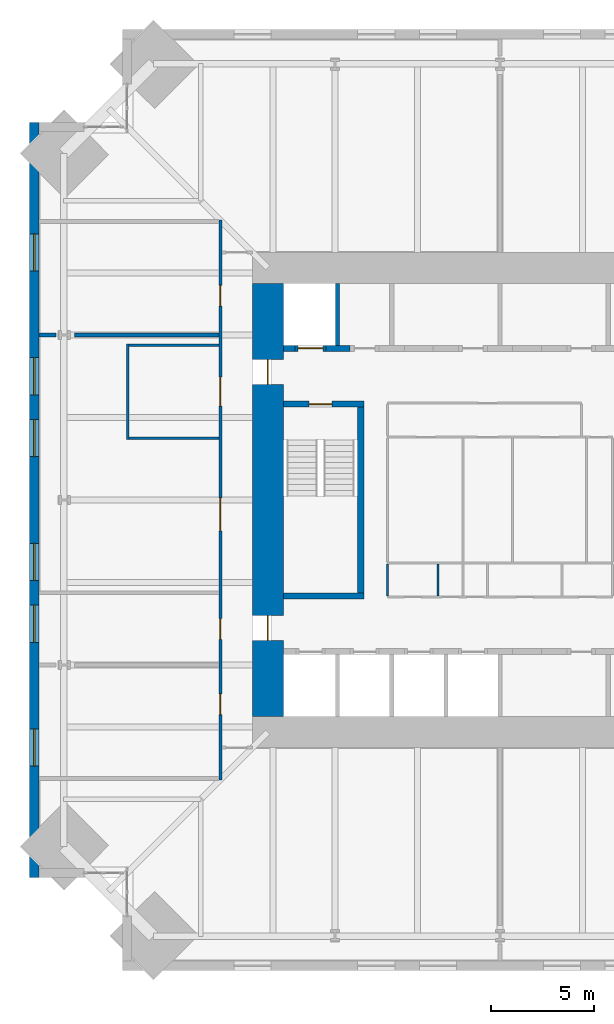
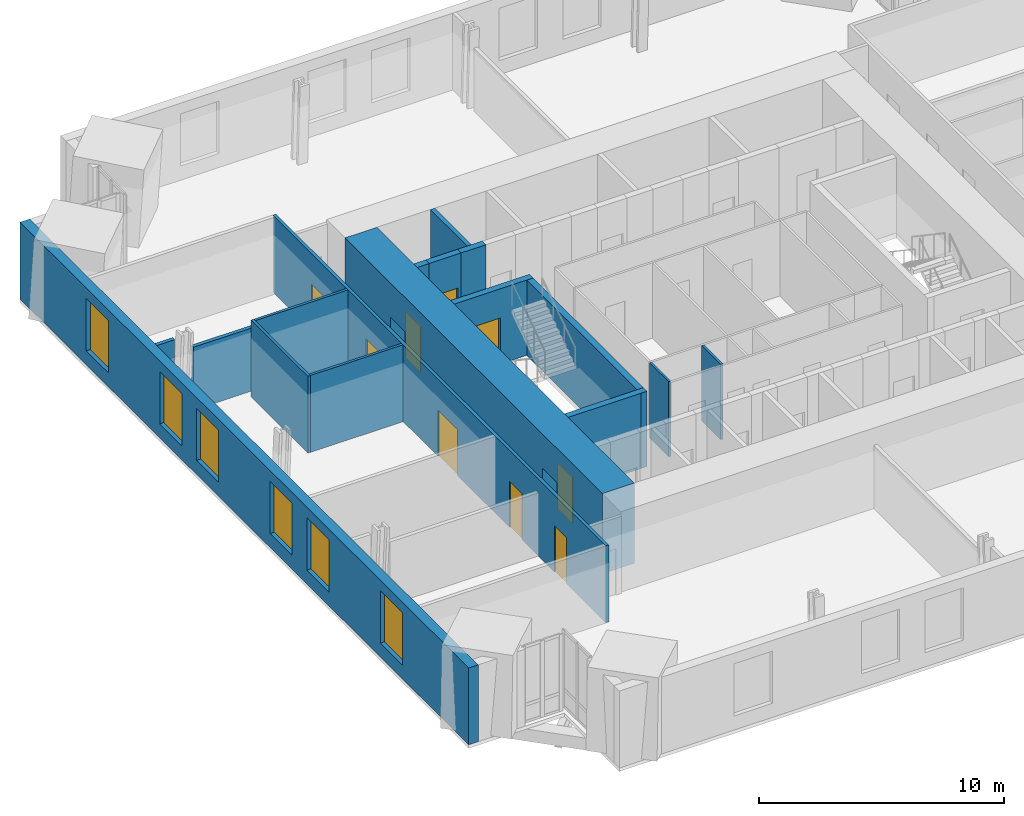
# One storey, part 11 of 15: 17 walls, 9 doors, 6 windows, 15 openings.
"""IFC4 building model written with IfcOpenShell, lengths in metres."""

from ifc_helpers import new_model, si_unit, direction, frame, frame_2d, origin, place, context, subcontext, project, spatial, rectangle, extrude, material, layer, layer_set, type_object, element, fill, save


model = new_model("IFC4")

# Units and contexts
model_context = context("Model", 3, precision=1e-05, world=origin(), true_north=direction((0.0, 1.0)))
body_context = subcontext(model_context, "Body", "Model", "MODEL_VIEW")
ifc_project = project(units=[si_unit("LENGTHUNIT", "METRE"), si_unit("AREAUNIT", "SQUARE_METRE"), si_unit("VOLUMEUNIT", "CUBIC_METRE"), si_unit("PLANEANGLEUNIT", "RADIAN"), si_unit("MASSUNIT", "GRAM", prefix="KILO")], contexts=[model_context])

# Site, building, storey
site_placement = place(None, origin())
site = spatial("IfcSite", under=ifc_project, at=site_placement, CompositionType="ELEMENT")
building_placement = place(site_placement, origin())
building = spatial("IfcBuilding", under=site, at=building_placement, Name="Peilmerk Tower", CompositionType="ELEMENT")
storey_placement = place(building_placement, frame((0.0, 0.0, 241.800048828125)))
storey = spatial("IfcBuildingStorey", under=building, at=storey_placement, Name="L53", CompositionType="ELEMENT", Elevation=241.800048828125)

# Wall, openings, windows
ifc_material_1 = material(Name="Precast concrete C45/55, board-marked finish", Category="concrete")
ifc_layer_1 = layer(ifc_material_1, 0.449951171875)
ifc_layer_set_1 = layer_set([ifc_layer_1], Name="Precast concrete C45/55, board-marked finish")
wall_type_1 = type_object("IfcWallType", Name="EW1 450 precast concrete facade wall, board-marked", PredefinedType="SOLIDWALL", material=ifc_layer_set_1)
wall_1_placement = place(storey_placement, frame((-22.574951171875, 18.300048828125, 0.0), z_axis=(0.0, 0.0, 1.0), x_axis=(0.0, -1.0, 0.0)))
wall_1 = element("IfcWall", 1, at=wall_1_placement, inside=storey, type_object=wall_type_1, Name="Facade wall W L53", PredefinedType="SOLIDWALL", context=body_context, shape_type="SweptSolid", body=[
    extrude(rectangle(XDim=36.60009765625, YDim=0.449951171875, at=frame_2d((18.300048828125, 0.0))), origin(), (0.0, 0.0, 1.0), 3.829833984375),
])
opening_1_placement = place(wall_1_placement, frame((5.39990234375, 0.0, 0.699951171875)))
opening_1 = element("IfcOpeningElement", 2, at=opening_1_placement, cuts=wall_1, Name="Opening W1", PredefinedType="OPENING", context=body_context, shape_type="SweptSolid", body=[
    extrude(rectangle(XDim=1.800048828125, YDim=2.60009765625, at=frame_2d((0.89990234375, 1.300048828125))), frame((0.0, 0.23486328125, 0.0), z_axis=(0.0, -1.0, 0.0), x_axis=(1.0, 0.0, 0.0)), (0.0, 0.0, 1.0), 0.469970703125),
])
opening_2_placement = place(wall_1_placement, frame((11.39990234375, 0.0, 0.699951171875)))
opening_2 = element("IfcOpeningElement", 3, at=opening_2_placement, cuts=wall_1, Name="Opening W1", PredefinedType="OPENING", context=body_context, shape_type="SweptSolid", body=[
    extrude(rectangle(XDim=1.800048828125, YDim=2.60009765625, at=frame_2d((0.89990234375, 1.300048828125))), frame((0.0, 0.23486328125, 0.0), z_axis=(0.0, -1.0, 0.0), x_axis=(1.0, 0.0, 0.0)), (0.0, 0.0, 1.0), 0.469970703125),
])
opening_3_placement = place(wall_1_placement, frame((14.39990234375, 0.0, 0.699951171875)))
opening_3 = element("IfcOpeningElement", 4, at=opening_3_placement, cuts=wall_1, Name="Opening W1", PredefinedType="OPENING", context=body_context, shape_type="SweptSolid", body=[
    extrude(rectangle(XDim=1.800048828125, YDim=2.60009765625, at=frame_2d((0.89990234375, 1.300048828125))), frame((0.0, 0.23486328125, 0.0), z_axis=(0.0, -1.0, 0.0), x_axis=(1.0, 0.0, 0.0)), (0.0, 0.0, 1.0), 0.469970703125),
])
opening_4_placement = place(wall_1_placement, frame((20.39990234375, 0.0, 0.699951171875)))
opening_4 = element("IfcOpeningElement", 5, at=opening_4_placement, cuts=wall_1, Name="Opening W1", PredefinedType="OPENING", context=body_context, shape_type="SweptSolid", body=[
    extrude(rectangle(XDim=1.800048828125, YDim=2.60009765625, at=frame_2d((0.89990234375, 1.300048828125))), frame((0.0, 0.23486328125, 0.0), z_axis=(0.0, -1.0, 0.0), x_axis=(1.0, 0.0, 0.0)), (0.0, 0.0, 1.0), 0.469970703125),
])
opening_5_placement = place(wall_1_placement, frame((23.39990234375, 0.0, 0.699951171875)))
opening_5 = element("IfcOpeningElement", 6, at=opening_5_placement, cuts=wall_1, Name="Opening W1", PredefinedType="OPENING", context=body_context, shape_type="SweptSolid", body=[
    extrude(rectangle(XDim=1.800048828125, YDim=2.60009765625, at=frame_2d((0.89990234375, 1.300048828125))), frame((0.0, 0.23486328125, 0.0), z_axis=(0.0, -1.0, 0.0), x_axis=(1.0, 0.0, 0.0)), (0.0, 0.0, 1.0), 0.469970703125),
])
opening_6_placement = place(wall_1_placement, frame((29.39990234375, 0.0, 0.699951171875)))
opening_6 = element("IfcOpeningElement", 7, at=opening_6_placement, cuts=wall_1, Name="Opening W1", PredefinedType="OPENING", context=body_context, shape_type="SweptSolid", body=[
    extrude(rectangle(XDim=1.800048828125, YDim=2.60009765625, at=frame_2d((0.89990234375, 1.300048828125))), frame((0.0, 0.23486328125, 0.0), z_axis=(0.0, -1.0, 0.0), x_axis=(1.0, 0.0, 0.0)), (0.0, 0.0, 1.0), 0.469970703125),
])
ifc_material_2 = material(Name="Aluminium frame, clear double glazing", Category="aluminium")
window_type = type_object("IfcWindowType", Name="W1 1800x2600 office window", PartitioningType="SINGLE_PANEL", PredefinedType="WINDOW", material=ifc_material_2)
window_1_placement = place(opening_1_placement, origin())
window_1 = element("IfcWindow", 8, at=window_1_placement, inside=storey, type_object=window_type, Name="Window W1 L53", OverallHeight=2.60009765625, OverallWidth=1.800048828125, PartitioningType="SINGLE_PANEL", PredefinedType="WINDOW", context=body_context, shape_type="SweptSolid", body=[
    extrude(rectangle(XDim=1.800048828125, YDim=2.60009765625, at=frame_2d((0.89990234375, 1.300048828125))), frame((0.0, 0.030029296875, 0.0), z_axis=(0.0, -1.0, 0.0), x_axis=(1.0, 0.0, 0.0)), (0.0, 0.0, 1.0), 0.06005859375),
])
fill(opening_1, window_1)
window_2_placement = place(opening_2_placement, origin())
window_2 = element("IfcWindow", 9, at=window_2_placement, inside=storey, type_object=window_type, Name="Window W1 L53", OverallHeight=2.60009765625, OverallWidth=1.800048828125, PartitioningType="SINGLE_PANEL", PredefinedType="WINDOW", context=body_context, shape_type="SweptSolid", body=[
    extrude(rectangle(XDim=1.800048828125, YDim=2.60009765625, at=frame_2d((0.89990234375, 1.300048828125))), frame((0.0, 0.030029296875, 0.0), z_axis=(0.0, -1.0, 0.0), x_axis=(1.0, 0.0, 0.0)), (0.0, 0.0, 1.0), 0.06005859375),
])
fill(opening_2, window_2)
window_3_placement = place(opening_3_placement, origin())
window_3 = element("IfcWindow", 10, at=window_3_placement, inside=storey, type_object=window_type, Name="Window W1 L53", OverallHeight=2.60009765625, OverallWidth=1.800048828125, PartitioningType="SINGLE_PANEL", PredefinedType="WINDOW", context=body_context, shape_type="SweptSolid", body=[
    extrude(rectangle(XDim=1.800048828125, YDim=2.60009765625, at=frame_2d((0.89990234375, 1.300048828125))), frame((0.0, 0.030029296875, 0.0), z_axis=(0.0, -1.0, 0.0), x_axis=(1.0, 0.0, 0.0)), (0.0, 0.0, 1.0), 0.06005859375),
])
fill(opening_3, window_3)
window_4_placement = place(opening_4_placement, origin())
window_4 = element("IfcWindow", 11, at=window_4_placement, inside=storey, type_object=window_type, Name="Window W1 L53", OverallHeight=2.60009765625, OverallWidth=1.800048828125, PartitioningType="SINGLE_PANEL", PredefinedType="WINDOW", context=body_context, shape_type="SweptSolid", body=[
    extrude(rectangle(XDim=1.800048828125, YDim=2.60009765625, at=frame_2d((0.89990234375, 1.300048828125))), frame((0.0, 0.030029296875, 0.0), z_axis=(0.0, -1.0, 0.0), x_axis=(1.0, 0.0, 0.0)), (0.0, 0.0, 1.0), 0.06005859375),
])
fill(opening_4, window_4)
window_5_placement = place(opening_5_placement, origin())
window_5 = element("IfcWindow", 12, at=window_5_placement, inside=storey, type_object=window_type, Name="Window W1 L53", OverallHeight=2.60009765625, OverallWidth=1.800048828125, PartitioningType="SINGLE_PANEL", PredefinedType="WINDOW", context=body_context, shape_type="SweptSolid", body=[
    extrude(rectangle(XDim=1.800048828125, YDim=2.60009765625, at=frame_2d((0.89990234375, 1.300048828125))), frame((0.0, 0.030029296875, 0.0), z_axis=(0.0, -1.0, 0.0), x_axis=(1.0, 0.0, 0.0)), (0.0, 0.0, 1.0), 0.06005859375),
])
fill(opening_5, window_5)
window_6_placement = place(opening_6_placement, origin())
window_6 = element("IfcWindow", 13, at=window_6_placement, inside=storey, type_object=window_type, Name="Window W1 L53", OverallHeight=2.60009765625, OverallWidth=1.800048828125, PartitioningType="SINGLE_PANEL", PredefinedType="WINDOW", context=body_context, shape_type="SweptSolid", body=[
    extrude(rectangle(XDim=1.800048828125, YDim=2.60009765625, at=frame_2d((0.89990234375, 1.300048828125))), frame((0.0, 0.030029296875, 0.0), z_axis=(0.0, -1.0, 0.0), x_axis=(1.0, 0.0, 0.0)), (0.0, 0.0, 1.0), 0.06005859375),
])
fill(opening_6, window_6)

# Wall, openings, doors
ifc_material_3 = material(Name="Calcium silicate block", Category="masonry")
ifc_layer_2 = layer(ifc_material_3, 0.14990234375)
ifc_layer_set_2 = layer_set([ifc_layer_2], Name="Calcium silicate block")
wall_type_2 = type_object("IfcWallType", Name="IW1 150 corridor partition, EI 60", PredefinedType="PARTITIONING", material=ifc_layer_set_2)
wall_2_placement = place(storey_placement, frame((-13.550048828125, 13.574951171875, 0.0), z_axis=(0.0, 0.0, 1.0), x_axis=(0.0, -1.0, 0.0)))
wall_2 = element("IfcWall", 14, at=wall_2_placement, inside=storey, type_object=wall_type_2, Name="Corridor wall W L53", PredefinedType="PARTITIONING", context=body_context, shape_type="SweptSolid", body=[
    extrude(rectangle(XDim=27.14990234375, YDim=0.14990234375, at=frame_2d((13.574951171875, 0.0))), origin(), (0.0, 0.0, 1.0), 3.829833984375),
])
opening_7_placement = place(wall_2_placement, frame((22.97509765625, 0.0, 0.0)))
opening_7 = element("IfcOpeningElement", 15, at=opening_7_placement, cuts=wall_2, Name="Opening D1", PredefinedType="OPENING", context=body_context, shape_type="SweptSolid", body=[
    extrude(rectangle(XDim=1.0, YDim=2.300048828125, at=frame_2d((0.5, 1.14990234375))), frame((0.0, 0.0849609375, 0.0), z_axis=(0.0, -1.0, 0.0), x_axis=(1.0, 0.0, 0.0)), (0.0, 0.0, 1.0), 0.169921875),
])
opening_8_placement = place(wall_2_placement, frame((19.324951171875, 0.0, 0.0)))
opening_8 = element("IfcOpeningElement", 16, at=opening_8_placement, cuts=wall_2, Name="Opening D1", PredefinedType="OPENING", context=body_context, shape_type="SweptSolid", body=[
    extrude(rectangle(XDim=1.0, YDim=2.300048828125, at=frame_2d((0.5, 1.14990234375))), frame((0.0, 0.0849609375, 0.0), z_axis=(0.0, -1.0, 0.0), x_axis=(1.0, 0.0, 0.0)), (0.0, 0.0, 1.0), 0.169921875),
])
opening_9_placement = place(wall_2_placement, frame((13.47509765625, 0.0, 0.0)))
opening_9 = element("IfcOpeningElement", 17, at=opening_9_placement, cuts=wall_2, Name="Opening D9", PredefinedType="OPENING", context=body_context, shape_type="SweptSolid", body=[
    extrude(rectangle(XDim=1.60009765625, YDim=2.300048828125, at=frame_2d((0.800048828125, 1.14990234375))), frame((0.0, 0.0849609375, 0.0), z_axis=(0.0, -1.0, 0.0), x_axis=(1.0, 0.0, 0.0)), (0.0, 0.0, 1.0), 0.169921875),
])
opening_10_placement = place(wall_2_placement, frame((3.175048828125, 0.0, 0.0)))
opening_10 = element("IfcOpeningElement", 18, at=opening_10_placement, cuts=wall_2, Name="Opening D1", PredefinedType="OPENING", context=body_context, shape_type="SweptSolid", body=[
    extrude(rectangle(XDim=1.0, YDim=2.300048828125, at=frame_2d((0.5, 1.14990234375))), frame((0.0, 0.0849609375, 0.0), z_axis=(0.0, -1.0, 0.0), x_axis=(1.0, 0.0, 0.0)), (0.0, 0.0, 1.0), 0.169921875),
])
opening_11_placement = place(wall_2_placement, frame((7.625, 0.0, 0.0)))
opening_11 = element("IfcOpeningElement", 19, at=opening_11_placement, cuts=wall_2, Name="Opening D8", PredefinedType="OPENING", context=body_context, shape_type="SweptSolid", body=[
    extrude(rectangle(XDim=1.39990234375, YDim=2.300048828125, at=frame_2d((0.699951171875, 1.14990234375))), frame((0.0, 0.0849609375, 0.0), z_axis=(0.0, -1.0, 0.0), x_axis=(1.0, 0.0, 0.0)), (0.0, 0.0, 1.0), 0.169921875),
])
ifc_material_4 = material(Name="Timber door in steel frame", Category="steel")
door_type_1 = type_object("IfcDoorType", Name="D1 1000x2300 room door, EI2 30", OperationType="SINGLE_SWING_LEFT", PredefinedType="DOOR", material=ifc_material_4)
door_1_placement = place(opening_7_placement, frame((1.0, 0.0, 0.0), z_axis=(0.0, 0.0, 1.0), x_axis=(-1.0, 0.0, 0.0)))
door_1 = element("IfcDoor", 20, at=door_1_placement, inside=storey, type_object=door_type_1, Name="Door Catering kitchen L53", OperationType="SINGLE_SWING_LEFT", OverallHeight=2.300048828125, OverallWidth=1.0, PredefinedType="DOOR", context=body_context, shape_type="SweptSolid", body=[
    extrude(rectangle(XDim=1.0, YDim=2.300048828125, at=frame_2d((0.5, 1.14990234375))), frame((0.0, 0.02490234375, 0.0), z_axis=(0.0, -1.0, 0.0), x_axis=(1.0, 0.0, 0.0)), (0.0, 0.0, 1.0), 0.050048828125),
])
fill(opening_7, door_1)
door_2_placement = place(opening_8_placement, frame((1.0, 0.0, 0.0), z_axis=(0.0, 0.0, 1.0), x_axis=(-1.0, 0.0, 0.0)))
door_2 = element("IfcDoor", 21, at=door_2_placement, inside=storey, type_object=door_type_1, Name="Door Catering servery L53", OperationType="SINGLE_SWING_LEFT", OverallHeight=2.300048828125, OverallWidth=1.0, PredefinedType="DOOR", context=body_context, shape_type="SweptSolid", body=[
    extrude(rectangle(XDim=1.0, YDim=2.300048828125, at=frame_2d((0.5, 1.14990234375))), frame((0.0, 0.02490234375, 0.0), z_axis=(0.0, -1.0, 0.0), x_axis=(1.0, 0.0, 0.0)), (0.0, 0.0, 1.0), 0.050048828125),
])
fill(opening_8, door_2)
door_3_placement = place(opening_10_placement, frame((1.0, 0.0, 0.0), z_axis=(0.0, 0.0, 1.0), x_axis=(-1.0, 0.0, 0.0)))
door_3 = element("IfcDoor", 22, at=door_3_placement, inside=storey, type_object=door_type_1, Name="Door Office L53", OperationType="SINGLE_SWING_LEFT", OverallHeight=2.300048828125, OverallWidth=1.0, PredefinedType="DOOR", context=body_context, shape_type="SweptSolid", body=[
    extrude(rectangle(XDim=1.0, YDim=2.300048828125, at=frame_2d((0.5, 1.14990234375))), frame((0.0, 0.02490234375, 0.0), z_axis=(0.0, -1.0, 0.0), x_axis=(1.0, 0.0, 0.0)), (0.0, 0.0, 1.0), 0.050048828125),
])
fill(opening_10, door_3)
door_type_2 = type_object("IfcDoorType", Name="D8 1400x2300 leaf-and-a-half door, EI2 30", OperationType="DOUBLE_DOOR_SINGLE_SWING", PredefinedType="DOOR", material=ifc_material_4)
door_4_placement = place(opening_11_placement, frame((1.39990234375, 0.0, 0.0), z_axis=(0.0, 0.0, 1.0), x_axis=(-1.0, 0.0, 0.0)))
door_4 = element("IfcDoor", 23, at=door_4_placement, inside=storey, type_object=door_type_2, Name="Door Briefing room L53", OperationType="DOUBLE_DOOR_SINGLE_SWING", OverallHeight=2.300048828125, OverallWidth=1.39990234375, PredefinedType="DOOR", context=body_context, shape_type="SweptSolid", body=[
    extrude(rectangle(XDim=1.39990234375, YDim=2.300048828125, at=frame_2d((0.699951171875, 1.14990234375))), frame((0.0, 0.02490234375, 0.0), z_axis=(0.0, -1.0, 0.0), x_axis=(1.0, 0.0, 0.0)), (0.0, 0.0, 1.0), 0.050048828125),
])
fill(opening_11, door_4)
ifc_material_5 = material(Name="Glazed timber door in steel frame", Category="steel")
door_type_3 = type_object("IfcDoorType", Name="D9 1600x2300 glazed double door, EI2 30", OperationType="DOUBLE_DOOR_SINGLE_SWING", PredefinedType="DOOR", material=ifc_material_5)
door_5_placement = place(opening_9_placement, frame((1.60009765625, 0.0, 0.0), z_axis=(0.0, 0.0, 1.0), x_axis=(-1.0, 0.0, 0.0)))
door_5 = element("IfcDoor", 24, at=door_5_placement, inside=storey, type_object=door_type_3, Name="Door Reception L53", OperationType="DOUBLE_DOOR_SINGLE_SWING", OverallHeight=2.300048828125, OverallWidth=1.60009765625, PredefinedType="DOOR", context=body_context, shape_type="SweptSolid", body=[
    extrude(rectangle(XDim=1.60009765625, YDim=2.300048828125, at=frame_2d((0.800048828125, 1.14990234375))), frame((0.0, 0.02490234375, 0.0), z_axis=(0.0, -1.0, 0.0), x_axis=(1.0, 0.0, 0.0)), (0.0, 0.0, 1.0), 0.050048828125),
])
fill(opening_9, door_5)

# Wall
ifc_material_6 = material(Name="Concrete C35/45", Category="concrete")
ifc_layer_3 = layer(ifc_material_6, 0.300048828125)
ifc_layer_set_3 = layer_set([ifc_layer_3], Name="Concrete C35/45")
wall_type_3 = type_object("IfcWallType", Name="IW3 300 concrete stair enclosure wall, EI 120", PredefinedType="SOLIDWALL", material=ifc_layer_set_3)
wall_3_placement = place(storey_placement, frame((-6.75, -4.800048828125, 0.0), z_axis=(0.0, 0.0, 1.0), x_axis=(0.0, 1.0, 0.0)))
element("IfcWall", 25, at=wall_3_placement, inside=storey, type_object=wall_type_3, Name="Stair 1 enclosure L53", PredefinedType="SOLIDWALL", context=body_context, shape_type="SweptSolid", body=[
    extrude(rectangle(XDim=9.60009765625, YDim=0.300048828125, at=frame_2d((4.800048828125, 0.0))), origin(), (0.0, 0.0, 1.0), 3.75),
])

# Wall, opening, door
wall_4_placement = place(storey_placement, frame((-10.5, 4.64990234375, 0.0), z_axis=(0.0, 0.0, 1.0), x_axis=(1.0, 0.0, 0.0)))
wall_4 = element("IfcWall", 26, at=wall_4_placement, inside=storey, type_object=wall_type_3, Name="Stair 1 enclosure L53", PredefinedType="SOLIDWALL", context=body_context, shape_type="SweptSolid", body=[
    extrude(rectangle(XDim=3.89990234375, YDim=0.300048828125, at=frame_2d((1.949951171875, 0.0))), origin(), (0.0, 0.0, 1.0), 3.75),
])
opening_12_placement = place(wall_4_placement, frame((1.25, 0.0, 0.0)))
opening_12 = element("IfcOpeningElement", 27, at=opening_12_placement, cuts=wall_4, Name="Opening D4", PredefinedType="OPENING", context=body_context, shape_type="SweptSolid", body=[
    extrude(rectangle(XDim=1.10009765625, YDim=2.300048828125, at=frame_2d((0.550048828125, 1.14990234375))), frame((0.0, 0.159912109375, 0.0), z_axis=(0.0, -1.0, 0.0), x_axis=(1.0, 0.0, 0.0)), (0.0, 0.0, 1.0), 0.320068359375),
])
ifc_material_7 = material(Name="Steel door in steel frame", Category="steel")
door_type_4 = type_object("IfcDoorType", Name="D4 1100x2300 stair door, EI2 60", OperationType="SINGLE_SWING_RIGHT", PredefinedType="DOOR", material=ifc_material_7)
door_6_placement = place(opening_12_placement, frame((1.10009765625, 0.0, 0.0), z_axis=(0.0, 0.0, 1.0), x_axis=(-1.0, 0.0, 0.0)))
door_6 = element("IfcDoor", 28, at=door_6_placement, inside=storey, type_object=door_type_4, Name="Stair 1 door L53", OperationType="SINGLE_SWING_RIGHT", OverallHeight=2.300048828125, OverallWidth=1.10009765625, PredefinedType="DOOR", context=body_context, shape_type="SweptSolid", body=[
    extrude(rectangle(XDim=1.10009765625, YDim=2.300048828125, at=frame_2d((0.550048828125, 1.14990234375))), frame((0.0, 0.02490234375, 0.0), z_axis=(0.0, -1.0, 0.0), x_axis=(1.0, 0.0, 0.0)), (0.0, 0.0, 1.0), 0.050048828125),
])
fill(opening_12, door_6)

# Walls
wall_5_placement = place(storey_placement, frame((-6.60009765625, -4.64990234375, 0.0), z_axis=(0.0, 0.0, 1.0), x_axis=(-1.0, 0.0, 0.0)))
element("IfcWall", 29, at=wall_5_placement, inside=storey, type_object=wall_type_3, Name="Stair 1 enclosure L53", PredefinedType="SOLIDWALL", context=body_context, shape_type="SweptSolid", body=[
    extrude(rectangle(XDim=3.89990234375, YDim=0.300048828125, at=frame_2d((1.949951171875, 0.0))), origin(), (0.0, 0.0, 1.0), 3.75),
])
ifc_material_8 = material(Name="Calcium silicate board on steel studs", Category="steel")
ifc_layer_4 = layer(ifc_material_8, 0.10009765625)
ifc_layer_set_4 = layer_set([ifc_layer_4], Name="Calcium silicate board on steel studs")
wall_type_4 = type_object("IfcWallType", Name="IW5 100 riser enclosure wall, EI 60", PredefinedType="PARTITIONING", material=ifc_layer_set_4)
for number, where, z_axis, x_axis, name in (
    (30, (-5.449951171875, -3.10009765625, 0.0), (0.0, 0.0, 1.0), (0.0, -1.0, 0.0), "Riser wall L53"),
    (31, (-3.0, -3.10009765625, 0.0), (0.0, 0.0, 1.0), (0.0, -1.0, 0.0), "Riser wall L53"),
):
    element("IfcWall", number, at=place(storey_placement, frame(where, z_axis=z_axis, x_axis=x_axis)), inside=storey, type_object=wall_type_4, Name=name, PredefinedType="PARTITIONING", context=body_context, shape_type="SweptSolid", body=[
        extrude(rectangle(XDim=1.5498046875, YDim=0.10009765625, at=frame_2d((0.77490234375, 0.0))), origin(), (0.0, 0.0, 1.0), 3.75),
    ])
ifc_material_9 = material(Name="Plasterboard on steel studs, double boarded with mineral wool", Category="steel")
ifc_layer_5 = layer(ifc_material_9, 0.125)
ifc_layer_set_5 = layer_set([ifc_layer_5], Name="Plasterboard on steel studs, double boarded with mineral wool")
wall_type_5 = type_object("IfcWallType", Name="IW7 125 acoustic partition, EI 30", PredefinedType="PARTITIONING", material=ifc_layer_set_5)
wall_6_placement = place(storey_placement, frame((-18.050048828125, 2.9375, 0.0), z_axis=(0.0, 0.0, 1.0), x_axis=(0.0, 1.0, 0.0)))
element("IfcWall", 32, at=wall_6_placement, inside=storey, type_object=wall_type_5, Name="Acoustic partition Briefing room L53", PredefinedType="PARTITIONING", context=body_context, shape_type="SweptSolid", body=[
    extrude(rectangle(XDim=4.625, YDim=0.125, at=frame_2d((2.3125, 0.0))), origin(), (0.0, 0.0, 1.0), 3.829833984375),
])
for number, where, z_axis, x_axis, name in (
    (33, (-13.625, 3.0, 0.0), (0.0, 0.0, 1.0), (-1.0, 0.0, 0.0), "Acoustic partition Briefing room L53"),
    (34, (-13.625, 7.5, 0.0), (0.0, 0.0, 1.0), (-1.0, 0.0, 0.0), "Acoustic partition Briefing room L53"),
):
    element("IfcWall", number, at=place(storey_placement, frame(where, z_axis=z_axis, x_axis=x_axis)), inside=storey, type_object=wall_type_5, Name=name, PredefinedType="PARTITIONING", context=body_context, shape_type="SweptSolid", body=[
        extrude(rectangle(XDim=4.362548828125, YDim=0.125, at=frame_2d((2.18115234375, 0.0))), origin(), (0.0, 0.0, 1.0), 3.829833984375),
    ])
ifc_layer_6 = layer(ifc_material_3, 0.175048828125)
ifc_layer_set_6 = layer_set([ifc_layer_6], Name="Calcium silicate block")
wall_type_6 = type_object("IfcWallType", Name="IW8 175 tenant separating wall, EI 60", PredefinedType="PARTITIONING", material=ifc_layer_set_6)
wall_7_placement = place(storey_placement, frame((-13.625, 8.0, 0.0), z_axis=(0.0, 0.0, 1.0), x_axis=(-1.0, 0.0, 0.0)))
element("IfcWall", 35, at=wall_7_placement, inside=storey, type_object=wall_type_6, Name="Tenant separating wall W3 L53", PredefinedType="PARTITIONING", context=body_context, shape_type="SweptSolid", body=[
    extrude(rectangle(XDim=6.99658203125, YDim=0.175048828125, at=frame_2d((3.498291015625, 0.0))), origin(), (0.0, 0.0, 1.0), 3.139892578125),
])
wall_8_placement = place(storey_placement, frame((-21.5107421875, 8.0, 0.0), z_axis=(0.0, 0.0, 1.0), x_axis=(-1.0, 0.0, 0.0)))
element("IfcWall", 36, at=wall_8_placement, inside=storey, type_object=wall_type_6, Name="Tenant separating wall W3b L53", PredefinedType="PARTITIONING", context=body_context, shape_type="SweptSolid", body=[
    extrude(rectangle(XDim=0.83935546875, YDim=0.175048828125, at=frame_2d((0.419677734375, 0.0))), origin(), (0.0, 0.0, 1.0), 3.829833984375),
])
ifc_layer_7 = layer(ifc_material_3, 0.199951171875)
ifc_layer_set_7 = layer_set([ifc_layer_7], Name="Calcium silicate block")
wall_type_7 = type_object("IfcWallType", Name="SH1 200 shaft dividing wall, EI 120", PredefinedType="PARTITIONING", material=ifc_layer_set_7)
wall_9_placement = place(storey_placement, frame((-7.875, 7.5, 0.0), z_axis=(0.0, 0.0, 1.0), x_axis=(0.0, 1.0, 0.0)))
element("IfcWall", 37, at=wall_9_placement, inside=storey, type_object=wall_type_7, Name="Shaft wall N FL1 L53", PredefinedType="PARTITIONING", context=body_context, shape_type="SweptSolid", body=[
    extrude(rectangle(XDim=3.0, YDim=0.199951171875, at=frame_2d((1.5, 0.0))), origin(), (0.0, 0.0, 1.0), 4.0),
])

# Wall, opening, door
ifc_layer_8 = layer(ifc_material_3, 0.300048828125)
ifc_layer_set_8 = layer_set([ifc_layer_8], Name="Calcium silicate block")
wall_type_8 = type_object("IfcWallType", Name="SH2 300 lift landing door panel, EI 120", PredefinedType="PARTITIONING", material=ifc_layer_set_8)
wall_10_placement = place(storey_placement, frame((-9.9375, 7.35009765625, 0.0), z_axis=(0.0, 0.0, 1.0), x_axis=(1.0, 0.0, 0.0)))
wall_10 = element("IfcWall", 38, at=wall_10_placement, inside=storey, type_object=wall_type_8, Name="Lift door panel N FL1 L53", PredefinedType="PARTITIONING", context=body_context, shape_type="SweptSolid", body=[
    extrude(rectangle(XDim=1.5, YDim=0.300048828125, at=frame_2d((0.75, 0.0))), origin(), (0.0, 0.0, 1.0), 4.0),
])
opening_13_placement = place(wall_10_placement, frame((0.14990234375, 0.0, 0.0)))
opening_13 = element("IfcOpeningElement", 39, at=opening_13_placement, cuts=wall_10, Name="Opening LD2", PredefinedType="OPENING", context=body_context, shape_type="SweptSolid", body=[
    extrude(rectangle(XDim=1.199951171875, YDim=2.300048828125, at=frame_2d((0.60009765625, 1.14990234375))), frame((0.0, 0.159912109375, 0.0), z_axis=(0.0, -1.0, 0.0), x_axis=(1.0, 0.0, 0.0)), (0.0, 0.0, 1.0), 0.320068359375),
])
ifc_material_10 = material(Name="Stainless steel landing door", Category="steel")
door_type_5 = type_object("IfcDoorType", Name="LD2 1200x2300 lift landing door, sliding, EI2 60", OperationType="SLIDING_TO_LEFT", PredefinedType="DOOR", material=ifc_material_10)
door_7_placement = place(opening_13_placement, frame((1.199951171875, 0.0, 0.0), z_axis=(0.0, 0.0, 1.0), x_axis=(-1.0, 0.0, 0.0)))
door_7 = element("IfcDoor", 40, at=door_7_placement, inside=storey, type_object=door_type_5, Name="Lift landing door FL1 L53", OperationType="SLIDING_TO_LEFT", OverallHeight=2.300048828125, OverallWidth=1.199951171875, PredefinedType="DOOR", context=body_context, shape_type="SweptSolid", body=[
    extrude(rectangle(XDim=1.199951171875, YDim=2.300048828125, at=frame_2d((0.60009765625, 1.14990234375))), frame((0.0, 0.02490234375, 0.0), z_axis=(0.0, -1.0, 0.0), x_axis=(1.0, 0.0, 0.0)), (0.0, 0.0, 1.0), 0.050048828125),
])
fill(opening_13, door_7)

# Wall, openings, doors
ifc_material_11 = material(Name="Concrete C55/67", Category="concrete")
ifc_layer_9 = layer(ifc_material_11, 1.5)
ifc_layer_set_9 = layer_set([ifc_layer_9], Name="Concrete C55/67")
wall_type_9 = type_object("IfcWallType", Name="SW1 1500 core wall", PredefinedType="SHEAR", material=ifc_layer_set_9)
wall_11_placement = place(storey_placement, frame((-11.25, -10.5, 0.0), z_axis=(0.0, 0.0, 1.0), x_axis=(0.0, 1.0, 0.0)))
wall_11 = element("IfcWall", 41, at=wall_11_placement, inside=storey, type_object=wall_type_9, Name="Core wall W L53", PredefinedType="SHEAR", context=body_context, shape_type="SweptSolid", body=[
    extrude(rectangle(XDim=21.0, YDim=1.5, at=frame_2d((10.5, 0.0))), origin(), (0.0, 0.0, 1.0), 4.0),
])
opening_14_placement = place(wall_11_placement, frame((16.10009765625, 0.0, 0.0)))
opening_14 = element("IfcOpeningElement", 42, at=opening_14_placement, cuts=wall_11, Name="Opening D3", PredefinedType="OPENING", context=body_context, shape_type="SweptSolid", body=[
    extrude(rectangle(XDim=1.199951171875, YDim=2.300048828125, at=frame_2d((0.60009765625, 1.14990234375))), frame((0.0, 0.760009765625, 0.0), z_axis=(0.0, -1.0, 0.0), x_axis=(1.0, 0.0, 0.0)), (0.0, 0.0, 1.0), 1.52001953125),
])
opening_15_placement = place(wall_11_placement, frame((3.699951171875, 0.0, 0.0)))
opening_15 = element("IfcOpeningElement", 43, at=opening_15_placement, cuts=wall_11, Name="Opening D3", PredefinedType="OPENING", context=body_context, shape_type="SweptSolid", body=[
    extrude(rectangle(XDim=1.199951171875, YDim=2.300048828125, at=frame_2d((0.60009765625, 1.14990234375))), frame((0.0, 0.760009765625, 0.0), z_axis=(0.0, -1.0, 0.0), x_axis=(1.0, 0.0, 0.0)), (0.0, 0.0, 1.0), 1.52001953125),
])
door_type_6 = type_object("IfcDoorType", Name="D3 1200x2300 core door, EI2 60", OperationType="SINGLE_SWING_LEFT", PredefinedType="DOOR", material=ifc_material_7)
door_8_placement = place(opening_14_placement, frame((1.199951171875, 0.0, 0.0), z_axis=(0.0, 0.0, 1.0), x_axis=(-1.0, 0.0, 0.0)))
door_8 = element("IfcDoor", 44, at=door_8_placement, inside=storey, type_object=door_type_6, Name="Core door L53", OperationType="SINGLE_SWING_LEFT", OverallHeight=2.300048828125, OverallWidth=1.199951171875, PredefinedType="DOOR", context=body_context, shape_type="SweptSolid", body=[
    extrude(rectangle(XDim=1.199951171875, YDim=2.300048828125, at=frame_2d((0.60009765625, 1.14990234375))), frame((0.0, 0.02490234375, 0.0), z_axis=(0.0, -1.0, 0.0), x_axis=(1.0, 0.0, 0.0)), (0.0, 0.0, 1.0), 0.050048828125),
])
fill(opening_14, door_8)
door_9_placement = place(opening_15_placement, frame((1.199951171875, 0.0, 0.0), z_axis=(0.0, 0.0, 1.0), x_axis=(-1.0, 0.0, 0.0)))
door_9 = element("IfcDoor", 45, at=door_9_placement, inside=storey, type_object=door_type_6, Name="Core door L53", OperationType="SINGLE_SWING_LEFT", OverallHeight=2.300048828125, OverallWidth=1.199951171875, PredefinedType="DOOR", context=body_context, shape_type="SweptSolid", body=[
    extrude(rectangle(XDim=1.199951171875, YDim=2.300048828125, at=frame_2d((0.60009765625, 1.14990234375))), frame((0.0, 0.02490234375, 0.0), z_axis=(0.0, -1.0, 0.0), x_axis=(1.0, 0.0, 0.0)), (0.0, 0.0, 1.0), 0.050048828125),
])
fill(opening_15, door_9)

# Walls
ifc_layer_10 = layer(ifc_material_11, 0.300048828125)
ifc_layer_set_10 = layer_set([ifc_layer_10], Name="Concrete C55/67")
wall_type_10 = type_object("IfcWallType", Name="SW2 300 lift bank pier", PredefinedType="SHEAR", material=ifc_layer_set_10)
wall_12_placement = place(storey_placement, frame((-10.5, 7.35009765625, 0.0), z_axis=(0.0, 0.0, 1.0), x_axis=(1.0, 0.0, 0.0)))
element("IfcWall", 46, at=wall_12_placement, inside=storey, type_object=wall_type_10, Name="Lift bank pier N L53", PredefinedType="SHEAR", context=body_context, shape_type="SweptSolid", body=[
    extrude(rectangle(XDim=0.5625, YDim=0.300048828125, at=frame_2d((0.28125, 0.0))), origin(), (0.0, 0.0, 1.0), 4.0),
])
wall_13_placement = place(storey_placement, frame((-8.4375, 7.35009765625, 0.0), z_axis=(0.0, 0.0, 1.0), x_axis=(1.0, 0.0, 0.0)))
element("IfcWall", 47, at=wall_13_placement, inside=storey, type_object=wall_type_10, Name="Lift bank pier N L53", PredefinedType="SHEAR", context=body_context, shape_type="SweptSolid", body=[
    extrude(rectangle(XDim=1.175048828125, YDim=0.300048828125, at=frame_2d((0.58740234375, 0.0))), origin(), (0.0, 0.0, 1.0), 4.0),
])

save(model, "model.ifc")
